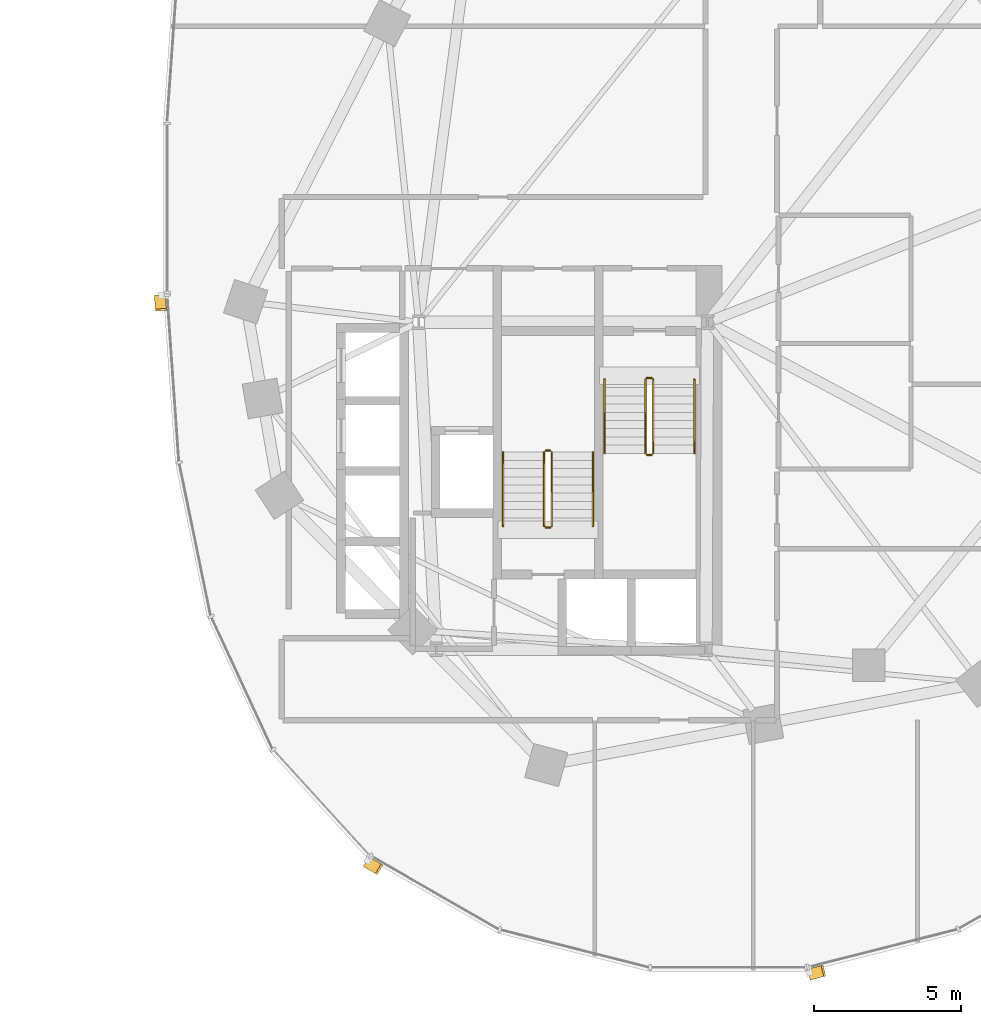
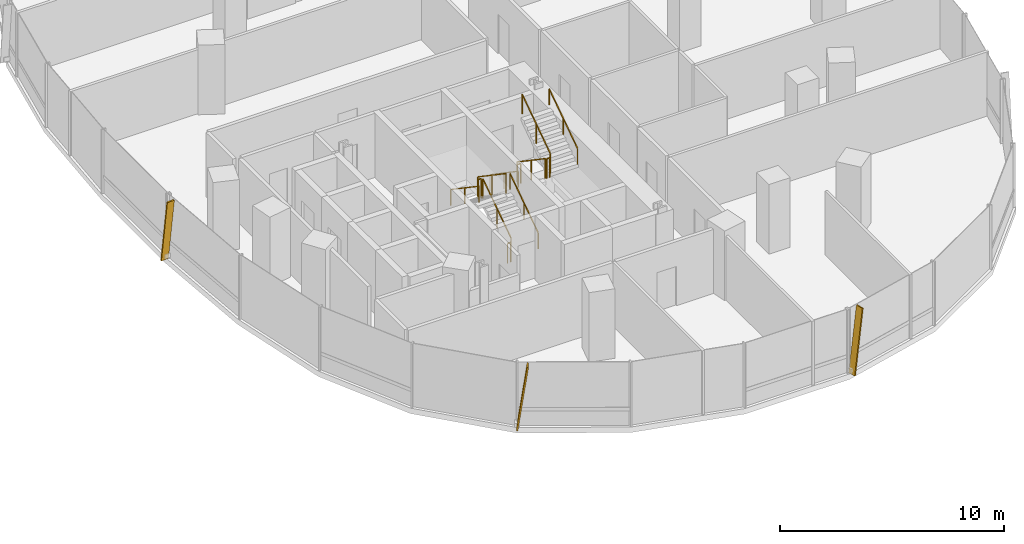
# One storey, part 21 of 22: 12 railings, 3 shading devices.
"""IFC4 building model written with IfcOpenShell, lengths in metres."""

from ifc_helpers import new_model, si_unit, direction, frame, origin, origin_2d, place, context, subcontext, project, spatial, rectangle, extrude, material, material_profile, profile_set, type_object, element, save


model = new_model("IFC4")

# Units and contexts
model_context = context("Model", 3, precision=1e-05, world=origin(), true_north=direction((0.0, 1.0)))
body_context = subcontext(model_context, "Body", "Model", "MODEL_VIEW")
ifc_project = project(units=[si_unit("LENGTHUNIT", "METRE"), si_unit("AREAUNIT", "SQUARE_METRE"), si_unit("VOLUMEUNIT", "CUBIC_METRE"), si_unit("PLANEANGLEUNIT", "RADIAN"), si_unit("MASSUNIT", "GRAM", prefix="KILO"), si_unit("THERMODYNAMICTEMPERATUREUNIT", "KELVIN"), si_unit("POWERUNIT", "WATT")], contexts=[model_context])

# Site, building, storey
site_placement = place(None, origin())
site = spatial("IfcSite", under=ifc_project, at=site_placement, CompositionType="ELEMENT")
building_placement = place(site_placement, origin())
building = spatial("IfcBuilding", under=site, at=building_placement, Name="Cundina Bronze Exchange", CompositionType="ELEMENT")
storey_placement = place(building_placement, frame((0.0, 0.0, 39.199951171875)))
storey = spatial("IfcBuildingStorey", under=building, at=storey_placement, Name="L09", CompositionType="ELEMENT", Elevation=39.199951171875)

# Railings
ifc_material_1 = material(Name="Steel ASTM A36 Painted", Category="steel")
railing_type_1 = type_object("IfcRailingType", Name="RLG-HND-900", PredefinedType="HANDRAIL", material=ifc_material_1)
railing_1_placement = place(storey_placement, frame((27.7900390625, -5.85009765625, 0.18994140625)))
element("IfcRailing", 1, at=railing_1_placement, inside=storey, type_object=railing_type_1, Name="L09 ST-E1 stair handrail 1", PredefinedType="HANDRAIL", context=body_context, shape_type="SweptSolid", body=[
    extrude(rectangle(XDim=0.048095703125, YDim=0.048095703125, at=origin_2d()), frame((0.0, 0.0, 0.8759765625), z_axis=(0.0, -0.82744650838, 0.561544544778), x_axis=(1.0, 0.0, 0.0)), (0.0, 0.0, 1.0), 3.045654296875),
    extrude(rectangle(XDim=0.0419921875, YDim=0.0419921875, at=origin_2d()), origin(), (0.0, 0.0, 1.0), 0.851806640625),
    extrude(rectangle(XDim=0.0419921875, YDim=0.0419921875, at=origin_2d()), frame((0.0, -1.260009765625, 0.85498046875)), (0.0, 0.0, 1.0), 0.851806640625),
    extrude(rectangle(XDim=0.0419921875, YDim=0.0419921875, at=origin_2d()), frame((0.0, -2.52001953125, 1.710205078125)), (0.0, 0.0, 1.0), 0.851806640625),
])
railing_2_placement = place(storey_placement, frame((30.85009765625, -8.3701171875, 2.090087890625)))
element("IfcRailing", 2, at=railing_2_placement, inside=storey, type_object=railing_type_1, Name="L09 ST-E1 stair handrail 2", PredefinedType="HANDRAIL", context=body_context, shape_type="SweptSolid", body=[
    extrude(rectangle(XDim=0.048095703125, YDim=0.048095703125, at=origin_2d()), frame((0.0, 0.0, 0.8759765625), z_axis=(0.0, 0.827483756001, 0.561489655786), x_axis=(-1.0, 0.0, 0.0)), (0.0, 0.0, 1.0), 3.04541015625),
    extrude(rectangle(XDim=0.0419921875, YDim=0.0419921875, at=origin_2d()), origin(), (0.0, 0.0, 1.0), 0.851806640625),
    extrude(rectangle(XDim=0.0419921875, YDim=0.0419921875, at=origin_2d()), frame((0.0, 1.260009765625, 0.85498046875)), (0.0, 0.0, 1.0), 0.851806640625),
    extrude(rectangle(XDim=0.0419921875, YDim=0.0419921875, at=origin_2d()), frame((0.0, 2.52001953125, 1.7099609375)), (0.0, 0.0, 1.0), 0.851806640625),
])
railing_3_placement = place(storey_placement, frame((27.389892578125, -10.85009765625, 0.18994140625)))
element("IfcRailing", 3, at=railing_3_placement, inside=storey, type_object=railing_type_1, Name="L09 ST-E2 stair handrail 1", PredefinedType="HANDRAIL", context=body_context, shape_type="SweptSolid", body=[
    extrude(rectangle(XDim=0.048095703125, YDim=0.048095703125, at=origin_2d()), frame((0.0, 0.0, 0.8759765625), z_axis=(0.0, 0.82744650838, 0.561544544778), x_axis=(-1.0, 0.0, 0.0)), (0.0, 0.0, 1.0), 3.045654296875),
    extrude(rectangle(XDim=0.0419921875, YDim=0.0419921875, at=origin_2d()), origin(), (0.0, 0.0, 1.0), 0.851806640625),
    extrude(rectangle(XDim=0.0419921875, YDim=0.0419921875, at=origin_2d()), frame((0.0, 1.260009765625, 0.85498046875)), (0.0, 0.0, 1.0), 0.851806640625),
    extrude(rectangle(XDim=0.0419921875, YDim=0.0419921875, at=origin_2d()), frame((0.0, 2.52001953125, 1.710205078125)), (0.0, 0.0, 1.0), 0.851806640625),
])
railing_4_placement = place(storey_placement, frame((24.330078125, -8.330078125, 2.090087890625)))
element("IfcRailing", 4, at=railing_4_placement, inside=storey, type_object=railing_type_1, Name="L09 ST-E2 stair handrail 2", PredefinedType="HANDRAIL", context=body_context, shape_type="SweptSolid", body=[
    extrude(rectangle(XDim=0.048095703125, YDim=0.048095703125, at=origin_2d()), frame((0.0, 0.0, 0.8759765625), z_axis=(0.0, -0.827483756001, 0.561489655786), x_axis=(1.0, 0.0, 0.0)), (0.0, 0.0, 1.0), 3.04541015625),
    extrude(rectangle(XDim=0.0419921875, YDim=0.0419921875, at=origin_2d()), origin(), (0.0, 0.0, 1.0), 0.851806640625),
    extrude(rectangle(XDim=0.0419921875, YDim=0.0419921875, at=origin_2d()), frame((0.0, -1.260009765625, 0.85498046875)), (0.0, 0.0, 1.0), 0.851806640625),
    extrude(rectangle(XDim=0.0419921875, YDim=0.0419921875, at=origin_2d()), frame((0.0, -2.52001953125, 1.7099609375)), (0.0, 0.0, 1.0), 0.851806640625),
])
railing_type_2 = type_object("IfcRailingType", Name="RLG-STG-1100", PredefinedType="GUARDRAIL", material=ifc_material_1)
railing_5_placement = place(storey_placement, frame((29.18994140625, -5.85009765625, 0.18994140625)))
element("IfcRailing", 5, at=railing_5_placement, inside=storey, type_object=railing_type_2, Name="L09 ST-E1 stair guard 1", PredefinedType="GUARDRAIL", context=body_context, shape_type="SweptSolid", body=[
    extrude(rectangle(XDim=0.048095703125, YDim=0.048095703125, at=origin_2d()), frame((0.0, 0.0, 1.076171875), z_axis=(0.0, -0.82744650838, 0.561544544778), x_axis=(1.0, 0.0, 0.0)), (0.0, 0.0, 1.0), 3.045654296875),
    extrude(rectangle(XDim=0.0419921875, YDim=0.0419921875, at=origin_2d()), origin(), (0.0, 0.0, 1.0), 1.052001953125),
    extrude(rectangle(XDim=0.0419921875, YDim=0.0419921875, at=origin_2d()), frame((0.0, -1.260009765625, 0.85498046875)), (0.0, 0.0, 1.0), 1.052001953125),
    extrude(rectangle(XDim=0.0419921875, YDim=0.0419921875, at=origin_2d()), frame((0.0, -2.52001953125, 1.710205078125)), (0.0, 0.0, 1.0), 1.052001953125),
])
railing_6_placement = place(storey_placement, frame((29.239990234375, -8.419921875, 1.900146484375)))
element("IfcRailing", 6, at=railing_6_placement, inside=storey, type_object=railing_type_2, Name="L09 ST-E1 stair guard 2", PredefinedType="GUARDRAIL", context=body_context, shape_type="SweptSolid", body=[
    extrude(rectangle(XDim=0.048095703125, YDim=0.048095703125, at=origin_2d()), frame((0.0, 0.0, 1.076171875), z_axis=(1.0, 0.0, 0.0), x_axis=(0.0, 1.0, 0.0)), (0.0, 0.0, 1.0), 0.159912109375),
    extrude(rectangle(XDim=0.0419921875, YDim=0.0419921875, at=origin_2d()), origin(), (0.0, 0.0, 1.0), 1.052001953125),
    extrude(rectangle(XDim=0.0419921875, YDim=0.0419921875, at=origin_2d()), frame((0.159912109375, 0.0, 0.0)), (0.0, 0.0, 1.0), 1.052001953125),
])
railing_7_placement = place(storey_placement, frame((29.449951171875, -8.3701171875, 2.090087890625)))
element("IfcRailing", 7, at=railing_7_placement, inside=storey, type_object=railing_type_2, Name="L09 ST-E1 stair guard 3", PredefinedType="GUARDRAIL", context=body_context, shape_type="SweptSolid", body=[
    extrude(rectangle(XDim=0.048095703125, YDim=0.048095703125, at=origin_2d()), frame((0.0, 0.0, 1.076171875), z_axis=(0.0, 0.827483756001, 0.561489655786), x_axis=(-1.0, 0.0, 0.0)), (0.0, 0.0, 1.0), 3.04541015625),
    extrude(rectangle(XDim=0.0419921875, YDim=0.0419921875, at=origin_2d()), origin(), (0.0, 0.0, 1.0), 1.052001953125),
    extrude(rectangle(XDim=0.0419921875, YDim=0.0419921875, at=origin_2d()), frame((0.0, 1.260009765625, 0.85498046875)), (0.0, 0.0, 1.0), 1.052001953125),
    extrude(rectangle(XDim=0.0419921875, YDim=0.0419921875, at=origin_2d()), frame((0.0, 2.52001953125, 1.7099609375)), (0.0, 0.0, 1.0), 1.052001953125),
])
railing_8_placement = place(storey_placement, frame((29.239990234375, -5.800048828125, 0.0)))
element("IfcRailing", 8, at=railing_8_placement, inside=storey, type_object=railing_type_2, Name="L09 ST-E1 stair guard 4", PredefinedType="GUARDRAIL", context=body_context, shape_type="SweptSolid", body=[
    extrude(rectangle(XDim=0.048095703125, YDim=0.048095703125, at=origin_2d()), frame((0.0, 0.0, 1.076171875), z_axis=(1.0, 0.0, 0.0), x_axis=(0.0, 1.0, 0.0)), (0.0, 0.0, 1.0), 0.159912109375),
    extrude(rectangle(XDim=0.0419921875, YDim=0.0419921875, at=origin_2d()), origin(), (0.0, 0.0, 1.0), 1.052001953125),
    extrude(rectangle(XDim=0.0419921875, YDim=0.0419921875, at=origin_2d()), frame((0.159912109375, 0.0, 0.0)), (0.0, 0.0, 1.0), 1.052001953125),
])
railing_9_placement = place(storey_placement, frame((25.989990234375, -10.85009765625, 0.18994140625)))
element("IfcRailing", 9, at=railing_9_placement, inside=storey, type_object=railing_type_2, Name="L09 ST-E2 stair guard 1", PredefinedType="GUARDRAIL", context=body_context, shape_type="SweptSolid", body=[
    extrude(rectangle(XDim=0.048095703125, YDim=0.048095703125, at=origin_2d()), frame((0.0, 0.0, 1.076171875), z_axis=(0.0, 0.82744650838, 0.561544544778), x_axis=(-1.0, 0.0, 0.0)), (0.0, 0.0, 1.0), 3.045654296875),
    extrude(rectangle(XDim=0.0419921875, YDim=0.0419921875, at=origin_2d()), origin(), (0.0, 0.0, 1.0), 1.052001953125),
    extrude(rectangle(XDim=0.0419921875, YDim=0.0419921875, at=origin_2d()), frame((0.0, 1.260009765625, 0.85498046875)), (0.0, 0.0, 1.0), 1.052001953125),
    extrude(rectangle(XDim=0.0419921875, YDim=0.0419921875, at=origin_2d()), frame((0.0, 2.52001953125, 1.710205078125)), (0.0, 0.0, 1.0), 1.052001953125),
])
railing_10_placement = place(storey_placement, frame((25.93994140625, -8.280029296875, 1.900146484375)))
element("IfcRailing", 10, at=railing_10_placement, inside=storey, type_object=railing_type_2, Name="L09 ST-E2 stair guard 2", PredefinedType="GUARDRAIL", context=body_context, shape_type="SweptSolid", body=[
    extrude(rectangle(XDim=0.048095703125, YDim=0.048095703125, at=origin_2d()), frame((0.0, 0.0, 1.076171875), z_axis=(-1.0, 0.0, 0.0), x_axis=(0.0, -1.0, 0.0)), (0.0, 0.0, 1.0), 0.159912109375),
    extrude(rectangle(XDim=0.0419921875, YDim=0.0419921875, at=origin_2d()), origin(), (0.0, 0.0, 1.0), 1.052001953125),
    extrude(rectangle(XDim=0.0419921875, YDim=0.0419921875, at=origin_2d()), frame((-0.159912109375, 0.0, 0.0)), (0.0, 0.0, 1.0), 1.052001953125),
])
railing_11_placement = place(storey_placement, frame((25.72998046875, -8.330078125, 2.090087890625)))
element("IfcRailing", 11, at=railing_11_placement, inside=storey, type_object=railing_type_2, Name="L09 ST-E2 stair guard 3", PredefinedType="GUARDRAIL", context=body_context, shape_type="SweptSolid", body=[
    extrude(rectangle(XDim=0.048095703125, YDim=0.048095703125, at=origin_2d()), frame((0.0, 0.0, 1.076171875), z_axis=(0.0, -0.827483756001, 0.561489655786), x_axis=(1.0, 0.0, 0.0)), (0.0, 0.0, 1.0), 3.04541015625),
    extrude(rectangle(XDim=0.0419921875, YDim=0.0419921875, at=origin_2d()), origin(), (0.0, 0.0, 1.0), 1.052001953125),
    extrude(rectangle(XDim=0.0419921875, YDim=0.0419921875, at=origin_2d()), frame((0.0, -1.260009765625, 0.85498046875)), (0.0, 0.0, 1.0), 1.052001953125),
    extrude(rectangle(XDim=0.0419921875, YDim=0.0419921875, at=origin_2d()), frame((0.0, -2.52001953125, 1.7099609375)), (0.0, 0.0, 1.0), 1.052001953125),
])
railing_12_placement = place(storey_placement, frame((25.93994140625, -10.89990234375, 0.0)))
element("IfcRailing", 12, at=railing_12_placement, inside=storey, type_object=railing_type_2, Name="L09 ST-E2 stair guard 4", PredefinedType="GUARDRAIL", context=body_context, shape_type="SweptSolid", body=[
    extrude(rectangle(XDim=0.048095703125, YDim=0.048095703125, at=origin_2d()), frame((0.0, 0.0, 1.076171875), z_axis=(-1.0, 0.0, 0.0), x_axis=(0.0, -1.0, 0.0)), (0.0, 0.0, 1.0), 0.159912109375),
    extrude(rectangle(XDim=0.0419921875, YDim=0.0419921875, at=origin_2d()), origin(), (0.0, 0.0, 1.0), 1.052001953125),
    extrude(rectangle(XDim=0.0419921875, YDim=0.0419921875, at=origin_2d()), frame((-0.159912109375, 0.0, 0.0)), (0.0, 0.0, 1.0), 1.052001953125),
])

# Shading devices
ifc_material_2 = material(Name="Anodised Bronze Aluminium 6063-T6", Category="aluminium")
ifc_material_profile = material_profile(ifc_material_2, rectangle(XDim=0.070068359375, YDim=0.3798828125, at=origin_2d()), Name="FIN70X380", Category="aluminium")
ifc_profile_set = profile_set([ifc_material_profile], Name="Anodised Bronze Aluminium 6063-T6")
shading_device_type = type_object("IfcShadingDeviceType", Name="SHD-FIN-BRZ380", PredefinedType="USERDEFINED", material=ifc_profile_set)
for number, where, z_axis, x_axis, name in (
    (13, (12.6259765625, -2.993896484375, 0.02001953125), (0.009645159174, -0.137059109714, 0.990515911709), (-0.06953288269, 0.988072340253, 0.137398066402), "L09 Diagonal Bronze Solar Fin 1"),
    (14, (19.685791015625, -22.314208984375, 0.02001953125), (0.119166378275, -0.06842456559, 0.990513731915), (-0.85898178632, 0.493221799887, 0.137413779831), "L09 Diagonal Bronze Solar Fin 5"),
    (15, (34.787353515625, -26.138427734375, 0.02001953125), (0.133214830938, 0.033688115694, 0.990514472221), (-0.960284642503, -0.242842181368, 0.137408443412), "L09 Diagonal Bronze Solar Fin 1"),
):
    element("IfcShadingDevice", number, at=place(storey_placement, frame(where, z_axis=z_axis, x_axis=x_axis)), inside=storey, type_object=shading_device_type, Name=name, ObjectType="FIN", PredefinedType="USERDEFINED", context=body_context, shape_type="SweptSolid", body=[
        extrude(rectangle(XDim=0.070068359375, YDim=0.3798828125, at=origin_2d()), origin(), (0.0, 0.0, 1.0), 3.4931640625),
    ])

save(model, "model.ifc")
